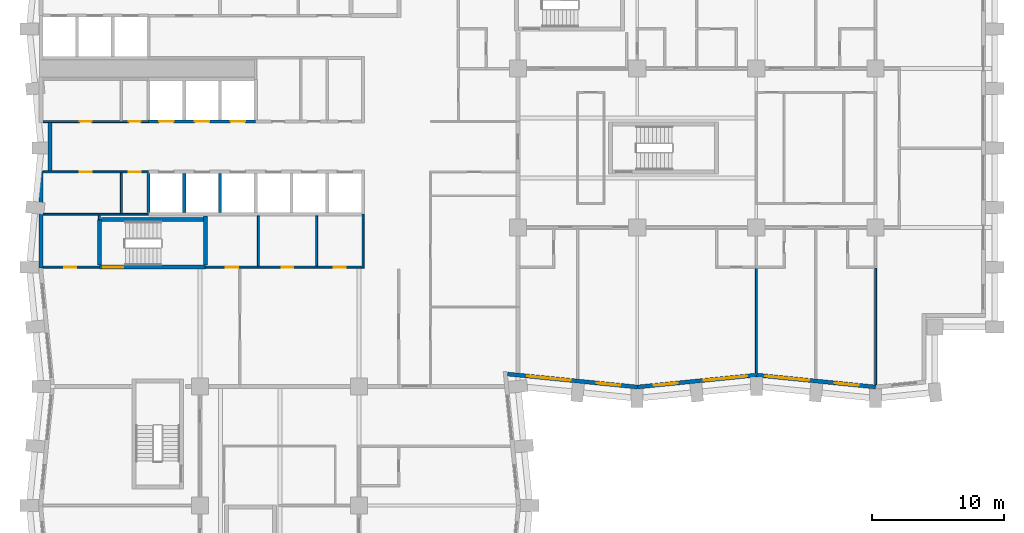
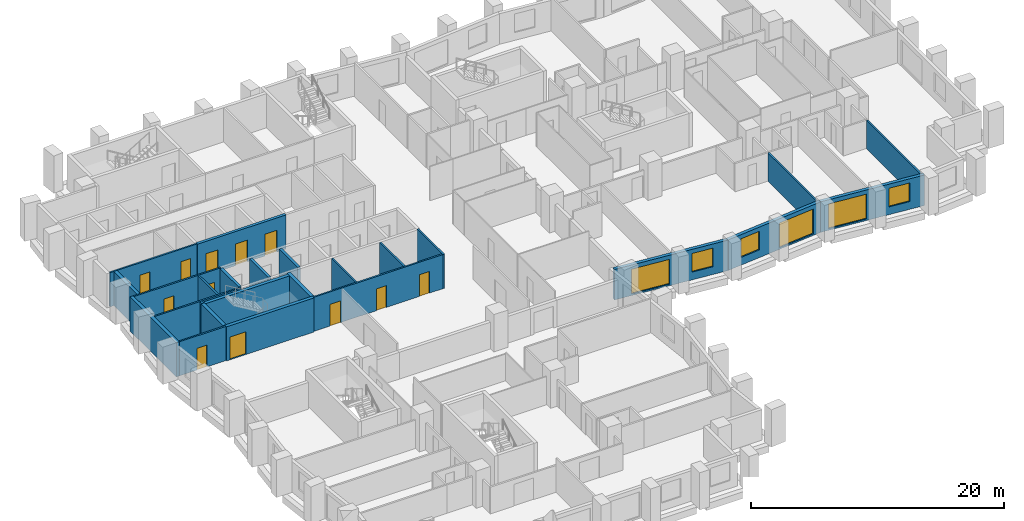
# One storey, part 5 of 12: 25 walls, 12 doors, 6 windows, 18 openings.
"""IFC4 building model written with IfcOpenShell, lengths in metres."""

from ifc_helpers import new_model, si_unit, direction, frame, frame_2d, origin, place, context, subcontext, project, spatial, rectangle, extrude, material, layer, layer_set, type_object, element, fill, save


model = new_model("IFC4")

# Units and contexts
model_context = context("Model", 3, precision=1e-05, world=origin(), true_north=direction((0.0, 1.0)))
body_context = subcontext(model_context, "Body", "Model", "MODEL_VIEW")
ifc_project = project(units=[si_unit("LENGTHUNIT", "METRE"), si_unit("AREAUNIT", "SQUARE_METRE"), si_unit("VOLUMEUNIT", "CUBIC_METRE"), si_unit("PLANEANGLEUNIT", "RADIAN"), si_unit("MASSUNIT", "GRAM", prefix="KILO")], contexts=[model_context])

# Site, building, storey
site_placement = place(None, origin())
site = spatial("IfcSite", under=ifc_project, at=site_placement, CompositionType="ELEMENT")
building_placement = place(site_placement, origin())
building = spatial("IfcBuilding", under=site, at=building_placement, Name="Brondeck Convention Tower", CompositionType="ELEMENT")
storey_placement = place(building_placement, frame((0.0, 0.0, 66.300048828125)))
storey = spatial("IfcBuildingStorey", under=building, at=storey_placement, Name="L14", CompositionType="ELEMENT", Elevation=66.300048828125)

# Wall, openings, doors
ifc_material_1 = material(Name="Concrete C80/95", Category="concrete")
ifc_layer_1 = layer(ifc_material_1, 0.14990234375)
ifc_layer_set_1 = layer_set([ifc_layer_1], Name="Core beam-seat wall 150 Concrete C80/95")
wall_type_1 = type_object("IfcWallType", Name="Core beam-seat wall 150 Concrete C80/95", PredefinedType="SHEAR", material=ifc_layer_set_1)
wall_1_placement = place(storey_placement, frame((12.39990234375, 36.0, 0.0), z_axis=(0.0, 0.0, 1.0), x_axis=(1.0, 0.0, 0.0)))
wall_1 = element("IfcWall", 1, at=wall_1_placement, inside=storey, type_object=wall_type_1, Name="L14 core wall", PredefinedType="SHEAR", context=body_context, shape_type="SweptSolid", body=[
    extrude(rectangle(XDim=11.8251953125, YDim=0.14990234375, at=frame_2d((5.91259765625, 0.0))), origin(), (0.0, 0.0, 1.0), 3.300048828125),
])
opening_1_placement = place(wall_1_placement, frame((1.52490234375, 0.0, 0.0)))
opening_1 = element("IfcOpeningElement", 2, at=opening_1_placement, cuts=wall_1, Name="Opening C10-03", PredefinedType="OPENING", context=body_context, shape_type="SweptSolid", body=[
    extrude(rectangle(XDim=0.949951171875, YDim=2.10009765625, at=frame_2d((0.47509765625, 1.050048828125))), frame((0.0, 0.0849609375, 0.0), z_axis=(0.0, -1.0, 0.0), x_axis=(1.0, 0.0, 0.0)), (0.0, 0.0, 1.0), 0.169921875),
])
opening_2_placement = place(wall_1_placement, frame((5.75, 0.0, 0.0)))
opening_2 = element("IfcOpeningElement", 3, at=opening_2_placement, cuts=wall_1, Name="Opening C10-04", PredefinedType="OPENING", context=body_context, shape_type="SweptSolid", body=[
    extrude(rectangle(XDim=0.89990234375, YDim=2.10009765625, at=frame_2d((0.449951171875, 1.050048828125))), frame((0.0, 0.0849609375, 0.0), z_axis=(0.0, -1.0, 0.0), x_axis=(1.0, 0.0, 0.0)), (0.0, 0.0, 1.0), 0.169921875),
])
opening_3_placement = place(wall_1_placement, frame((9.699951171875, 0.0, 0.0)))
opening_3 = element("IfcOpeningElement", 4, at=opening_3_placement, cuts=wall_1, Name="Opening C10-05", PredefinedType="OPENING", context=body_context, shape_type="SweptSolid", body=[
    extrude(rectangle(XDim=0.89990234375, YDim=2.10009765625, at=frame_2d((0.449951171875, 1.050048828125))), frame((0.0, 0.0849609375, 0.0), z_axis=(0.0, -1.0, 0.0), x_axis=(1.0, 0.0, 0.0)), (0.0, 0.0, 1.0), 0.169921875),
])
ifc_material_2 = material(Name="Steel fire door", Category="steel")
door_type_1 = type_object("IfcDoorType", Name="Room door 900x2100 EI 60", OperationType="NOTDEFINED", PredefinedType="DOOR", material=ifc_material_2)
door_1_placement = place(opening_2_placement, origin())
door_1 = element("IfcDoor", 5, at=door_1_placement, inside=storey, type_object=door_type_1, Name="L14 Room door FR-2", OperationType="SINGLE_SWING_LEFT", OverallHeight=2.10009765625, OverallWidth=0.89990234375, PredefinedType="DOOR", context=body_context, shape_type="SweptSolid", body=[
    extrude(rectangle(XDim=0.89990234375, YDim=2.10009765625, at=frame_2d((0.449951171875, 1.050048828125))), frame((0.0, 0.02490234375, 0.0), z_axis=(0.0, -1.0, 0.0), x_axis=(1.0, 0.0, 0.0)), (0.0, 0.0, 1.0), 0.050048828125),
])
fill(opening_2, door_1)
door_2_placement = place(opening_3_placement, origin())
door_2 = element("IfcDoor", 6, at=door_2_placement, inside=storey, type_object=door_type_1, Name="L14 Room door FR-3", OperationType="SINGLE_SWING_RIGHT", OverallHeight=2.10009765625, OverallWidth=0.89990234375, PredefinedType="DOOR", context=body_context, shape_type="SweptSolid", body=[
    extrude(rectangle(XDim=0.89990234375, YDim=2.10009765625, at=frame_2d((0.449951171875, 1.050048828125))), frame((0.0, 0.02490234375, 0.0), z_axis=(0.0, -1.0, 0.0), x_axis=(1.0, 0.0, 0.0)), (0.0, 0.0, 1.0), 0.050048828125),
])
fill(opening_3, door_2)
door_type_2 = type_object("IfcDoorType", Name="Room door 950x2100 EI 60", OperationType="NOTDEFINED", PredefinedType="DOOR", material=ifc_material_2)
door_3_placement = place(opening_1_placement, origin())
door_3 = element("IfcDoor", 7, at=door_3_placement, inside=storey, type_object=door_type_2, Name="L14 Room door FR-1", OperationType="SINGLE_SWING_RIGHT", OverallHeight=2.10009765625, OverallWidth=0.949951171875, PredefinedType="DOOR", context=body_context, shape_type="SweptSolid", body=[
    extrude(rectangle(XDim=0.949951171875, YDim=2.10009765625, at=frame_2d((0.47509765625, 1.050048828125))), frame((0.0, 0.02490234375, 0.0), z_axis=(0.0, -1.0, 0.0), x_axis=(1.0, 0.0, 0.0)), (0.0, 0.0, 1.0), 0.050048828125),
])
fill(opening_1, door_3)

# Walls
wall_2_placement = place(storey_placement, frame((24.300048828125, 35.925048828125, 0.0), z_axis=(0.0, 0.0, 1.0), x_axis=(0.0, 1.0, 0.0)))
element("IfcWall", 8, at=wall_2_placement, inside=storey, type_object=wall_type_1, Name="L14 core wall", PredefinedType="SHEAR", context=body_context, shape_type="SweptSolid", body=[
    extrude(rectangle(XDim=4.074951171875, YDim=0.14990234375, at=frame_2d((2.03759765625, 0.0))), origin(), (0.0, 0.0, 1.0), 3.300048828125),
])
ifc_layer_2 = layer(ifc_material_1, 0.300048828125)
ifc_layer_set_2 = layer_set([ifc_layer_2], Name="Core outer wall 300 Concrete C80/95")
wall_type_2 = type_object("IfcWallType", Name="Core outer wall 300 Concrete C80/95", PredefinedType="SHEAR", material=ifc_layer_set_2)
wall_3_placement = place(storey_placement, frame((0.0, 35.925048828125, 0.0), z_axis=(0.0, 0.0, 1.0), x_axis=(0.0, 1.0, 0.0)))
element("IfcWall", 9, at=wall_3_placement, inside=storey, type_object=wall_type_2, Name="L14 core wall", PredefinedType="SHEAR", context=body_context, shape_type="SweptSolid", body=[
    extrude(rectangle(XDim=7.349853515625, YDim=0.300048828125, at=frame_2d((3.6748046875, 0.0))), origin(), (0.0, 0.0, 1.0), 3.300048828125),
])
wall_4_placement = place(storey_placement, frame((0.64990234375, 43.27490234375, 0.0), z_axis=(0.0, 0.0, 1.0), x_axis=(0.0, 1.0, 0.0)))
element("IfcWall", 10, at=wall_4_placement, inside=storey, type_object=wall_type_2, Name="L14 core wall", PredefinedType="SHEAR", context=body_context, shape_type="SweptSolid", body=[
    extrude(rectangle(XDim=3.650146484375, YDim=0.300048828125, at=frame_2d((1.8251953125, 0.0))), origin(), (0.0, 0.0, 1.0), 3.300048828125),
])

# Wall, opening, door
ifc_material_3 = material(Name="Fire-rated gypsum board partition")
ifc_layer_3 = layer(ifc_material_3, 0.14990234375)
ifc_layer_set_3 = layer_set([ifc_layer_3], Name="Core partition 150 EI 60")
wall_type_3 = type_object("IfcWallType", Name="Core partition 150 EI 60", PredefinedType="PARTITIONING", material=ifc_layer_set_3)
wall_5_placement = place(storey_placement, frame((0.14990234375, 36.0, 0.0), z_axis=(0.0, 0.0, 1.0), x_axis=(1.0, 0.0, 0.0)))
wall_5 = element("IfcWall", 11, at=wall_5_placement, inside=storey, type_object=wall_type_3, Name="L14 core wall", PredefinedType="PARTITIONING", context=body_context, shape_type="SweptSolid", body=[
    extrude(rectangle(XDim=4.25, YDim=0.14990234375, at=frame_2d((2.125, 0.0))), origin(), (0.0, 0.0, 1.0), 3.300048828125),
])
opening_4_placement = place(wall_5_placement, frame((1.60009765625, 0.0, 0.0)))
opening_4 = element("IfcOpeningElement", 12, at=opening_4_placement, cuts=wall_5, Name="Opening C10-06", PredefinedType="OPENING", context=body_context, shape_type="SweptSolid", body=[
    extrude(rectangle(XDim=0.89990234375, YDim=2.10009765625, at=frame_2d((0.449951171875, 1.050048828125))), frame((0.0, 0.0849609375, 0.0), z_axis=(0.0, -1.0, 0.0), x_axis=(1.0, 0.0, 0.0)), (0.0, 0.0, 1.0), 0.169921875),
])
door_4_placement = place(opening_4_placement, origin())
door_4 = element("IfcDoor", 13, at=door_4_placement, inside=storey, type_object=door_type_1, Name="L14 Room door FRW-1", OperationType="SINGLE_SWING_LEFT", OverallHeight=2.10009765625, OverallWidth=0.89990234375, PredefinedType="DOOR", context=body_context, shape_type="SweptSolid", body=[
    extrude(rectangle(XDim=0.89990234375, YDim=2.10009765625, at=frame_2d((0.449951171875, 1.050048828125))), frame((0.0, 0.02490234375, 0.0), z_axis=(0.0, -1.0, 0.0), x_axis=(1.0, 0.0, 0.0)), (0.0, 0.0, 1.0), 0.050048828125),
])
fill(opening_4, door_4)

# Wall
wall_6_placement = place(storey_placement, frame((0.14990234375, 40.0, 0.0), z_axis=(0.0, 0.0, 1.0), x_axis=(1.0, 0.0, 0.0)))
element("IfcWall", 14, at=wall_6_placement, inside=storey, type_object=wall_type_3, Name="L14 core wall", PredefinedType="PARTITIONING", context=body_context, shape_type="SweptSolid", body=[
    extrude(rectangle(XDim=7.9501953125, YDim=0.14990234375, at=frame_2d((3.97509765625, 0.0))), origin(), (0.0, 0.0, 1.0), 3.300048828125),
])

# Wall, openings, doors
wall_7_placement = place(storey_placement, frame((0.14990234375, 43.199951171875, 0.0), z_axis=(0.0, 0.0, 1.0), x_axis=(1.0, 0.0, 0.0)))
wall_7 = element("IfcWall", 15, at=wall_7_placement, inside=storey, type_object=wall_type_3, Name="L14 core wall", PredefinedType="PARTITIONING", context=body_context, shape_type="SweptSolid", body=[
    extrude(rectangle(XDim=7.9501953125, YDim=0.14990234375, at=frame_2d((3.97509765625, 0.0))), origin(), (0.0, 0.0, 1.0), 3.300048828125),
])
opening_5_placement = place(wall_7_placement, frame((2.75, 0.0, 0.0)))
opening_5 = element("IfcOpeningElement", 16, at=opening_5_placement, cuts=wall_7, Name="Opening C10-11", PredefinedType="OPENING", context=body_context, shape_type="SweptSolid", body=[
    extrude(rectangle(XDim=0.89990234375, YDim=2.10009765625, at=frame_2d((0.449951171875, 1.050048828125))), frame((0.0, 0.0849609375, 0.0), z_axis=(0.0, -1.0, 0.0), x_axis=(1.0, 0.0, 0.0)), (0.0, 0.0, 1.0), 0.169921875),
])
opening_6_placement = place(wall_7_placement, frame((6.47509765625, 0.0, 0.0)))
opening_6 = element("IfcOpeningElement", 17, at=opening_6_placement, cuts=wall_7, Name="Opening C10-12", PredefinedType="OPENING", context=body_context, shape_type="SweptSolid", body=[
    extrude(rectangle(XDim=0.89990234375, YDim=2.10009765625, at=frame_2d((0.449951171875, 1.050048828125))), frame((0.0, 0.0849609375, 0.0), z_axis=(0.0, -1.0, 0.0), x_axis=(1.0, 0.0, 0.0)), (0.0, 0.0, 1.0), 0.169921875),
])
door_5_placement = place(opening_5_placement, origin())
door_5 = element("IfcDoor", 18, at=door_5_placement, inside=storey, type_object=door_type_1, Name="L14 Room door FZ-S-0-1", OperationType="SINGLE_SWING_LEFT", OverallHeight=2.10009765625, OverallWidth=0.89990234375, PredefinedType="DOOR", context=body_context, shape_type="SweptSolid", body=[
    extrude(rectangle(XDim=0.89990234375, YDim=2.10009765625, at=frame_2d((0.449951171875, 1.050048828125))), frame((0.0, 0.02490234375, 0.0), z_axis=(0.0, -1.0, 0.0), x_axis=(1.0, 0.0, 0.0)), (0.0, 0.0, 1.0), 0.050048828125),
])
fill(opening_5, door_5)
door_6_placement = place(opening_6_placement, origin())
door_6 = element("IfcDoor", 19, at=door_6_placement, inside=storey, type_object=door_type_1, Name="L14 Room door FZ-S-0-2", OperationType="SINGLE_SWING_RIGHT", OverallHeight=2.10009765625, OverallWidth=0.89990234375, PredefinedType="DOOR", context=body_context, shape_type="SweptSolid", body=[
    extrude(rectangle(XDim=0.89990234375, YDim=2.10009765625, at=frame_2d((0.449951171875, 1.050048828125))), frame((0.0, 0.02490234375, 0.0), z_axis=(0.0, -1.0, 0.0), x_axis=(1.0, 0.0, 0.0)), (0.0, 0.0, 1.0), 0.050048828125),
])
fill(opening_6, door_6)

wall_8_placement = place(storey_placement, frame((0.14990234375, 47.0, 0.0), z_axis=(0.0, 0.0, 1.0), x_axis=(1.0, 0.0, 0.0)))
wall_8 = element("IfcWall", 20, at=wall_8_placement, inside=storey, type_object=wall_type_3, Name="L14 core wall", PredefinedType="PARTITIONING", context=body_context, shape_type="SweptSolid", body=[
    extrude(rectangle(XDim=7.9501953125, YDim=0.14990234375, at=frame_2d((3.97509765625, 0.0))), origin(), (0.0, 0.0, 1.0), 3.300048828125),
])
opening_7_placement = place(wall_8_placement, frame((2.75, 0.0, 0.0)))
opening_7 = element("IfcOpeningElement", 21, at=opening_7_placement, cuts=wall_8, Name="Opening C10-07", PredefinedType="OPENING", context=body_context, shape_type="SweptSolid", body=[
    extrude(rectangle(XDim=0.89990234375, YDim=2.10009765625, at=frame_2d((0.449951171875, 1.050048828125))), frame((0.0, 0.0849609375, 0.0), z_axis=(0.0, -1.0, 0.0), x_axis=(1.0, 0.0, 0.0)), (0.0, 0.0, 1.0), 0.169921875),
])
opening_8_placement = place(wall_8_placement, frame((6.47509765625, 0.0, 0.0)))
opening_8 = element("IfcOpeningElement", 22, at=opening_8_placement, cuts=wall_8, Name="Opening C10-08", PredefinedType="OPENING", context=body_context, shape_type="SweptSolid", body=[
    extrude(rectangle(XDim=0.89990234375, YDim=2.10009765625, at=frame_2d((0.449951171875, 1.050048828125))), frame((0.0, 0.0849609375, 0.0), z_axis=(0.0, -1.0, 0.0), x_axis=(1.0, 0.0, 0.0)), (0.0, 0.0, 1.0), 0.169921875),
])
door_7_placement = place(opening_7_placement, origin())
door_7 = element("IfcDoor", 23, at=door_7_placement, inside=storey, type_object=door_type_1, Name="L14 Room door FZ-N-0-1", OperationType="SINGLE_SWING_RIGHT", OverallHeight=2.10009765625, OverallWidth=0.89990234375, PredefinedType="DOOR", context=body_context, shape_type="SweptSolid", body=[
    extrude(rectangle(XDim=0.89990234375, YDim=2.10009765625, at=frame_2d((0.449951171875, 1.050048828125))), frame((0.0, 0.02490234375, 0.0), z_axis=(0.0, -1.0, 0.0), x_axis=(1.0, 0.0, 0.0)), (0.0, 0.0, 1.0), 0.050048828125),
])
fill(opening_7, door_7)
door_8_placement = place(opening_8_placement, origin())
door_8 = element("IfcDoor", 24, at=door_8_placement, inside=storey, type_object=door_type_1, Name="L14 Room door FZ-N-0-2", OperationType="SINGLE_SWING_LEFT", OverallHeight=2.10009765625, OverallWidth=0.89990234375, PredefinedType="DOOR", context=body_context, shape_type="SweptSolid", body=[
    extrude(rectangle(XDim=0.89990234375, YDim=2.10009765625, at=frame_2d((0.449951171875, 1.050048828125))), frame((0.0, 0.02490234375, 0.0), z_axis=(0.0, -1.0, 0.0), x_axis=(1.0, 0.0, 0.0)), (0.0, 0.0, 1.0), 0.050048828125),
])
fill(opening_8, door_8)

# Walls
wall_9_placement = place(storey_placement, frame((4.39990234375, 39.60009765625, 0.0), z_axis=(0.0, 0.0, 1.0), x_axis=(0.0, 1.0, 0.0)))
element("IfcWall", 25, at=wall_9_placement, inside=storey, type_object=wall_type_3, Name="L14 core wall", PredefinedType="PARTITIONING", context=body_context, shape_type="SweptSolid", body=[
    extrude(rectangle(XDim=0.324951171875, YDim=0.14990234375, at=frame_2d((0.16259765625, 0.0))), origin(), (0.0, 0.0, 1.0), 3.300048828125),
])
wall_10_placement = place(storey_placement, frame((6.050048828125, 40.074951171875, 0.0), z_axis=(0.0, 0.0, 1.0), x_axis=(0.0, 1.0, 0.0)))
element("IfcWall", 26, at=wall_10_placement, inside=storey, type_object=wall_type_3, Name="L14 core wall", PredefinedType="PARTITIONING", context=body_context, shape_type="SweptSolid", body=[
    extrude(rectangle(XDim=3.050048828125, YDim=0.14990234375, at=frame_2d((1.52490234375, 0.0))), origin(), (0.0, 0.0, 1.0), 3.300048828125),
])
for number, where, z_axis, x_axis, name in (
    (27, (16.39990234375, 36.074951171875, 0.0), (0.0, 0.0, 1.0), (0.0, 1.0, 0.0), "L14 core wall"),
    (28, (20.800048828125, 36.074951171875, 0.0), (0.0, 0.0, 1.0), (0.0, 1.0, 0.0), "L14 core wall"),
):
    element("IfcWall", number, at=place(storey_placement, frame(where, z_axis=z_axis, x_axis=x_axis)), inside=storey, type_object=wall_type_3, Name=name, PredefinedType="PARTITIONING", context=body_context, shape_type="SweptSolid", body=[
        extrude(rectangle(XDim=3.800048828125, YDim=0.14990234375, at=frame_2d((1.89990234375, 0.0))), origin(), (0.0, 0.0, 1.0), 3.300048828125),
    ])

# Wall, openings, windows
ifc_material_4 = material(Name="Precast concrete C50/60 bronze finish", Category="concrete")
ifc_layer_4 = layer(ifc_material_4, 0.070068359375, Name="Bronze precast facing")
ifc_material_5 = material(Name="Mineral wool")
ifc_layer_5 = layer(ifc_material_5, 0.159912109375, Name="Insulation")
ifc_material_6 = material(Name="Concrete C35/45", Category="concrete")
ifc_layer_6 = layer(ifc_material_6, 0.070068359375, Name="Backing")
ifc_layer_set_4 = layer_set([ifc_layer_4, ifc_layer_5, ifc_layer_6], Name="External infill wall, precast concrete C50/60 bronze facing")
wall_type_4 = type_object("IfcWallType", Name="External infill wall, precast concrete C50/60 bronze facing", PredefinedType="SOLIDWALL", material=ifc_layer_set_4)
wall_11_placement = place(storey_placement, frame((45.014892578125, 26.95263671875, 0.0), z_axis=(0.0, 0.0, 1.0), x_axis=(-0.995036699177, 0.099508629231, 0.0)))
wall_11 = element("IfcWall", 29, at=wall_11_placement, inside=storey, type_object=wall_type_4, Name="ENV-EW-L14-P0-A-S-00", PredefinedType="SOLIDWALL", context=body_context, shape_type="SweptSolid", body=[
    extrude(rectangle(XDim=9.845703125, YDim=0.300048828125, at=frame_2d((4.9228515625, 0.0))), origin(), (0.0, 0.0, 1.0), 2.949951171875),
])
opening_9_placement = place(wall_11_placement, frame((1.291259765625, 0.0, 0.75)))
opening_9 = element("IfcOpeningElement", 30, at=opening_9_placement, cuts=wall_11, Name="Opening W10", PredefinedType="OPENING", context=body_context, shape_type="SweptSolid", body=[
    extrude(rectangle(XDim=1.800048828125, YDim=1.800048828125, at=frame_2d((0.89990234375, 0.89990234375))), frame((0.0, 0.159912109375, 0.0), z_axis=(0.0, -1.0, 0.0), x_axis=(1.0, 0.0, 0.0)), (0.0, 0.0, 1.0), 0.320068359375),
])
opening_10_placement = place(wall_11_placement, frame((5.063720703125, 0.0, 0.14990234375)))
opening_10 = element("IfcOpeningElement", 31, at=opening_10_placement, cuts=wall_11, Name="Opening W9", PredefinedType="OPENING", context=body_context, shape_type="SweptSolid", body=[
    extrude(rectangle(XDim=3.300048828125, YDim=2.39990234375, at=frame_2d((1.64990234375, 1.199951171875))), frame((0.0, 0.159912109375, 0.0), z_axis=(0.0, -1.0, 0.0), x_axis=(1.0, 0.0, 0.0)), (0.0, 0.0, 1.0), 0.320068359375),
])
ifc_material_7 = material(Name="Bronze tinted double glazing", Category="glass")
window_type_1 = type_object("IfcWindowType", Name="Glazed flute window, bronze tinted", PartitioningType="SINGLE_PANEL", PredefinedType="WINDOW", material=ifc_material_7)
window_1_placement = place(opening_10_placement, origin())
window_1 = element("IfcWindow", 32, at=window_1_placement, inside=storey, type_object=window_type_1, Name="ENV-WN-L14-P0-A-S-00", OverallHeight=2.39990234375, OverallWidth=3.300048828125, PartitioningType="SINGLE_PANEL", PredefinedType="WINDOW", context=body_context, shape_type="SweptSolid", body=[
    extrude(rectangle(XDim=3.300048828125, YDim=2.39990234375, at=frame_2d((1.64990234375, 1.199951171875))), frame((0.0, 0.030029296875, 0.0), z_axis=(0.0, -1.0, 0.0), x_axis=(1.0, 0.0, 0.0)), (0.0, 0.0, 1.0), 0.06005859375),
])
fill(opening_10, window_1)
window_type_2 = type_object("IfcWindowType", Name="Punched window, bronze tinted", PartitioningType="SINGLE_PANEL", PredefinedType="WINDOW", material=ifc_material_7)
window_2_placement = place(opening_9_placement, origin())
window_2 = element("IfcWindow", 33, at=window_2_placement, inside=storey, type_object=window_type_2, Name="ENV-WN-L14-P0-A-S-01", OverallHeight=1.800048828125, OverallWidth=1.800048828125, PartitioningType="SINGLE_PANEL", PredefinedType="WINDOW", context=body_context, shape_type="SweptSolid", body=[
    extrude(rectangle(XDim=1.800048828125, YDim=1.800048828125, at=frame_2d((0.89990234375, 0.89990234375))), frame((0.0, 0.030029296875, 0.0), z_axis=(0.0, -1.0, 0.0), x_axis=(1.0, 0.0, 0.0)), (0.0, 0.0, 1.0), 0.06005859375),
])
fill(opening_9, window_2)

wall_12_placement = place(storey_placement, frame((54.014892578125, 27.855712890625, 0.0), z_axis=(0.0, 0.0, 1.0), x_axis=(-0.995037993253, -0.099495688264, 0.0)))
wall_12 = element("IfcWall", 34, at=wall_12_placement, inside=storey, type_object=wall_type_4, Name="ENV-EW-L14-P0-A-S-02", PredefinedType="SOLIDWALL", context=body_context, shape_type="SweptSolid", body=[
    extrude(rectangle(XDim=9.030029296875, YDim=0.300048828125, at=frame_2d((4.51513671875, 0.0))), origin(), (0.0, 0.0, 1.0), 2.949951171875),
])
opening_11_placement = place(wall_12_placement, frame((0.711181640625, 0.0, 0.14990234375)))
opening_11 = element("IfcOpeningElement", 35, at=opening_11_placement, cuts=wall_12, Name="Opening W9", PredefinedType="OPENING", context=body_context, shape_type="SweptSolid", body=[
    extrude(rectangle(XDim=3.300048828125, YDim=2.39990234375, at=frame_2d((1.64990234375, 1.199951171875))), frame((0.0, 0.159912109375, 0.0), z_axis=(0.0, -1.0, 0.0), x_axis=(1.0, 0.0, 0.0)), (0.0, 0.0, 1.0), 0.320068359375),
])
opening_12_placement = place(wall_12_placement, frame((5.983642578125, 0.0, 0.75)))
opening_12 = element("IfcOpeningElement", 36, at=opening_12_placement, cuts=wall_12, Name="Opening W10", PredefinedType="OPENING", context=body_context, shape_type="SweptSolid", body=[
    extrude(rectangle(XDim=1.800048828125, YDim=1.800048828125, at=frame_2d((0.89990234375, 0.89990234375))), frame((0.0, 0.159912109375, 0.0), z_axis=(0.0, -1.0, 0.0), x_axis=(1.0, 0.0, 0.0)), (0.0, 0.0, 1.0), 0.320068359375),
])
window_3_placement = place(opening_11_placement, origin())
window_3 = element("IfcWindow", 37, at=window_3_placement, inside=storey, type_object=window_type_1, Name="ENV-WN-L14-P0-A-S-03", OverallHeight=2.39990234375, OverallWidth=3.300048828125, PartitioningType="SINGLE_PANEL", PredefinedType="WINDOW", context=body_context, shape_type="SweptSolid", body=[
    extrude(rectangle(XDim=3.300048828125, YDim=2.39990234375, at=frame_2d((1.64990234375, 1.199951171875))), frame((0.0, 0.030029296875, 0.0), z_axis=(0.0, -1.0, 0.0), x_axis=(1.0, 0.0, 0.0)), (0.0, 0.0, 1.0), 0.06005859375),
])
fill(opening_11, window_3)
window_4_placement = place(opening_12_placement, origin())
window_4 = element("IfcWindow", 38, at=window_4_placement, inside=storey, type_object=window_type_2, Name="ENV-WN-L14-P0-A-S-02", OverallHeight=1.800048828125, OverallWidth=1.800048828125, PartitioningType="SINGLE_PANEL", PredefinedType="WINDOW", context=body_context, shape_type="SweptSolid", body=[
    extrude(rectangle(XDim=1.800048828125, YDim=1.800048828125, at=frame_2d((0.89990234375, 0.89990234375))), frame((0.0, 0.030029296875, 0.0), z_axis=(0.0, -1.0, 0.0), x_axis=(1.0, 0.0, 0.0)), (0.0, 0.0, 1.0), 0.06005859375),
])
fill(opening_12, window_4)

wall_13_placement = place(storey_placement, frame((63.014892578125, 26.95263671875, 0.0), z_axis=(0.0, 0.0, 1.0), x_axis=(-0.995035316196, 0.099522457379, 0.0)))
wall_13 = element("IfcWall", 39, at=wall_13_placement, inside=storey, type_object=wall_type_4, Name="ENV-EW-L14-P0-A-S-04", PredefinedType="SOLIDWALL", context=body_context, shape_type="SweptSolid", body=[
    extrude(rectangle(XDim=9.030029296875, YDim=0.300048828125, at=frame_2d((4.51513671875, 0.0))), origin(), (0.0, 0.0, 1.0), 2.949951171875),
])
opening_13_placement = place(wall_13_placement, frame((1.291259765625, 0.0, 0.75)))
opening_13 = element("IfcOpeningElement", 40, at=opening_13_placement, cuts=wall_13, Name="Opening W10", PredefinedType="OPENING", context=body_context, shape_type="SweptSolid", body=[
    extrude(rectangle(XDim=1.800048828125, YDim=1.800048828125, at=frame_2d((0.89990234375, 0.89990234375))), frame((0.0, 0.159912109375, 0.0), z_axis=(0.0, -1.0, 0.0), x_axis=(1.0, 0.0, 0.0)), (0.0, 0.0, 1.0), 0.320068359375),
])
opening_14_placement = place(wall_13_placement, frame((5.063720703125, 0.0, 0.14990234375)))
opening_14 = element("IfcOpeningElement", 41, at=opening_14_placement, cuts=wall_13, Name="Opening W9", PredefinedType="OPENING", context=body_context, shape_type="SweptSolid", body=[
    extrude(rectangle(XDim=3.300048828125, YDim=2.39990234375, at=frame_2d((1.64990234375, 1.199951171875))), frame((0.0, 0.159912109375, 0.0), z_axis=(0.0, -1.0, 0.0), x_axis=(1.0, 0.0, 0.0)), (0.0, 0.0, 1.0), 0.320068359375),
])
window_5_placement = place(opening_14_placement, origin())
window_5 = element("IfcWindow", 42, at=window_5_placement, inside=storey, type_object=window_type_1, Name="ENV-WN-L14-P0-A-S-04", OverallHeight=2.39990234375, OverallWidth=3.300048828125, PartitioningType="SINGLE_PANEL", PredefinedType="WINDOW", context=body_context, shape_type="SweptSolid", body=[
    extrude(rectangle(XDim=3.300048828125, YDim=2.39990234375, at=frame_2d((1.64990234375, 1.199951171875))), frame((0.0, 0.030029296875, 0.0), z_axis=(0.0, -1.0, 0.0), x_axis=(1.0, 0.0, 0.0)), (0.0, 0.0, 1.0), 0.06005859375),
])
fill(opening_14, window_5)
window_6_placement = place(opening_13_placement, origin())
window_6 = element("IfcWindow", 43, at=window_6_placement, inside=storey, type_object=window_type_2, Name="ENV-WN-L14-P0-A-S-05", OverallHeight=1.800048828125, OverallWidth=1.800048828125, PartitioningType="SINGLE_PANEL", PredefinedType="WINDOW", context=body_context, shape_type="SweptSolid", body=[
    extrude(rectangle(XDim=1.800048828125, YDim=1.800048828125, at=frame_2d((0.89990234375, 0.89990234375))), frame((0.0, 0.030029296875, 0.0), z_axis=(0.0, -1.0, 0.0), x_axis=(1.0, 0.0, 0.0)), (0.0, 0.0, 1.0), 0.06005859375),
])
fill(opening_13, window_6)

# Walls
ifc_material_8 = material(Name="Double gypsum board acoustic wall")
ifc_layer_7 = layer(ifc_material_8, 0.14990234375)
ifc_layer_set_5 = layer_set([ifc_layer_7], Name="Guest room party wall 150")
wall_type_5 = type_object("IfcWallType", Name="Guest room party wall 150", PredefinedType="PARTITIONING", material=ifc_layer_set_5)
wall_14_placement = place(storey_placement, frame((54.0, 35.925048828125, 0.0), z_axis=(0.0, 0.0, 1.0), x_axis=(0.0, -1.0, 0.0)))
element("IfcWall", 44, at=wall_14_placement, inside=storey, type_object=wall_type_5, Name="FLR-L14-W048", PredefinedType="PARTITIONING", context=body_context, shape_type="SweptSolid", body=[
    extrude(rectangle(XDim=7.900146484375, YDim=0.14990234375, at=frame_2d((3.9501953125, 0.0))), origin(), (0.0, 0.0, 1.0), 2.72998046875),
])
wall_15_placement = place(storey_placement, frame((63.0, 35.925048828125, 0.0), z_axis=(0.0, 0.0, 1.0), x_axis=(0.0, -1.0, 0.0)))
element("IfcWall", 45, at=wall_15_placement, inside=storey, type_object=wall_type_5, Name="FLR-L14-W049", PredefinedType="PARTITIONING", context=body_context, shape_type="SweptSolid", body=[
    extrude(rectangle(XDim=8.800048828125, YDim=0.14990234375, at=frame_2d((4.39990234375, 0.0))), origin(), (0.0, 0.0, 1.0), 2.72998046875),
])

# Wall, openings, doors
ifc_layer_8 = layer(ifc_material_1, 0.25)
ifc_layer_set_6 = layer_set([ifc_layer_8], Name="Lift shaft wall 250 Concrete C80/95")
wall_type_6 = type_object("IfcWallType", Name="Lift shaft wall 250 Concrete C80/95", PredefinedType="SHEAR", material=ifc_layer_set_6)
wall_16_placement = place(storey_placement, frame((8.10009765625, 47.0, 0.0), z_axis=(0.0, 0.0, 1.0), x_axis=(1.0, 0.0, 0.0)))
wall_16 = element("IfcWall", 46, at=wall_16_placement, inside=storey, type_object=wall_type_6, Name="L14 core wall", PredefinedType="SHEAR", context=body_context, shape_type="SweptSolid", body=[
    extrude(rectangle(XDim=8.099853515625, YDim=0.25, at=frame_2d((4.0498046875, 0.0))), origin(), (0.0, 0.0, 1.0), 3.300048828125),
])
opening_15_placement = place(wall_16_placement, frame((0.800048828125, 0.0, 0.0)))
opening_15 = element("IfcOpeningElement", 47, at=opening_15_placement, cuts=wall_16, Name="Opening C10-29", PredefinedType="OPENING", context=body_context, shape_type="SweptSolid", body=[
    extrude(rectangle(XDim=1.10009765625, YDim=2.10009765625, at=frame_2d((0.550048828125, 1.050048828125))), frame((0.0, 0.135009765625, 0.0), z_axis=(0.0, -1.0, 0.0), x_axis=(1.0, 0.0, 0.0)), (0.0, 0.0, 1.0), 0.27001953125),
])
opening_16_placement = place(wall_16_placement, frame((3.5, 0.0, 0.0)))
opening_16 = element("IfcOpeningElement", 48, at=opening_16_placement, cuts=wall_16, Name="Opening C10-30", PredefinedType="OPENING", context=body_context, shape_type="SweptSolid", body=[
    extrude(rectangle(XDim=1.10009765625, YDim=2.10009765625, at=frame_2d((0.550048828125, 1.050048828125))), frame((0.0, 0.135009765625, 0.0), z_axis=(0.0, -1.0, 0.0), x_axis=(1.0, 0.0, 0.0)), (0.0, 0.0, 1.0), 0.27001953125),
])
opening_17_placement = place(wall_16_placement, frame((6.199951171875, 0.0, 0.0)))
opening_17 = element("IfcOpeningElement", 49, at=opening_17_placement, cuts=wall_16, Name="Opening C10-31", PredefinedType="OPENING", context=body_context, shape_type="SweptSolid", body=[
    extrude(rectangle(XDim=1.10009765625, YDim=2.10009765625, at=frame_2d((0.550048828125, 1.050048828125))), frame((0.0, 0.135009765625, 0.0), z_axis=(0.0, -1.0, 0.0), x_axis=(1.0, 0.0, 0.0)), (0.0, 0.0, 1.0), 0.27001953125),
])
ifc_material_9 = material(Name="Stainless steel lift door", Category="steel")
door_type_3 = type_object("IfcDoorType", Name="Lift landing door 1100x2100 EI 180", OperationType="DOUBLE_DOOR_SLIDING", PredefinedType="DOOR", material=ifc_material_9)
door_9_placement = place(opening_15_placement, origin())
door_9 = element("IfcDoor", 50, at=door_9_placement, inside=storey, type_object=door_type_3, Name="L14 Lift landing door LR4", OperationType="DOUBLE_DOOR_SLIDING", OverallHeight=2.10009765625, OverallWidth=1.10009765625, PredefinedType="DOOR", context=body_context, shape_type="SweptSolid", body=[
    extrude(rectangle(XDim=1.10009765625, YDim=2.10009765625, at=frame_2d((0.550048828125, 1.050048828125))), frame((0.0, 0.02490234375, 0.0), z_axis=(0.0, -1.0, 0.0), x_axis=(1.0, 0.0, 0.0)), (0.0, 0.0, 1.0), 0.050048828125),
])
fill(opening_15, door_9)
door_10_placement = place(opening_16_placement, origin())
door_10 = element("IfcDoor", 51, at=door_10_placement, inside=storey, type_object=door_type_3, Name="L14 Lift landing door LR5", OperationType="DOUBLE_DOOR_SLIDING", OverallHeight=2.10009765625, OverallWidth=1.10009765625, PredefinedType="DOOR", context=body_context, shape_type="SweptSolid", body=[
    extrude(rectangle(XDim=1.10009765625, YDim=2.10009765625, at=frame_2d((0.550048828125, 1.050048828125))), frame((0.0, 0.02490234375, 0.0), z_axis=(0.0, -1.0, 0.0), x_axis=(1.0, 0.0, 0.0)), (0.0, 0.0, 1.0), 0.050048828125),
])
fill(opening_16, door_10)
door_11_placement = place(opening_17_placement, origin())
door_11 = element("IfcDoor", 52, at=door_11_placement, inside=storey, type_object=door_type_3, Name="L14 Lift landing door LR6", OperationType="DOUBLE_DOOR_SLIDING", OverallHeight=2.10009765625, OverallWidth=1.10009765625, PredefinedType="DOOR", context=body_context, shape_type="SweptSolid", body=[
    extrude(rectangle(XDim=1.10009765625, YDim=2.10009765625, at=frame_2d((0.550048828125, 1.050048828125))), frame((0.0, 0.02490234375, 0.0), z_axis=(0.0, -1.0, 0.0), x_axis=(1.0, 0.0, 0.0)), (0.0, 0.0, 1.0), 0.050048828125),
])
fill(opening_17, door_11)

# Walls
for number, where, z_axis, x_axis, name in (
    (53, (8.10009765625, 40.125, 0.0), (0.0, 0.0, 1.0), (0.0, 1.0, 0.0), "L14 core wall"),
    (54, (10.800048828125, 40.125, 0.0), (0.0, 0.0, 1.0), (0.0, 1.0, 0.0), "L14 core wall"),
    (55, (13.5, 40.125, 0.0), (0.0, 0.0, 1.0), (0.0, 1.0, 0.0), "L14 core wall"),
):
    element("IfcWall", number, at=place(storey_placement, frame(where, z_axis=z_axis, x_axis=x_axis)), inside=storey, type_object=wall_type_6, Name=name, PredefinedType="SHEAR", context=body_context, shape_type="SweptSolid", body=[
        extrude(rectangle(XDim=2.949951171875, YDim=0.25, at=frame_2d((1.47509765625, 0.0))), origin(), (0.0, 0.0, 1.0), 3.300048828125),
    ])

# Wall, opening, door
ifc_layer_9 = layer(ifc_material_1, 0.300048828125)
ifc_layer_set_7 = layer_set([ifc_layer_9], Name="Stair enclosure wall 300 Concrete C80/95")
wall_type_7 = type_object("IfcWallType", Name="Stair enclosure wall 300 Concrete C80/95", PredefinedType="SHEAR", material=ifc_layer_set_7)
wall_17_placement = place(storey_placement, frame((4.39990234375, 36.0, 0.0), z_axis=(0.0, 0.0, 1.0), x_axis=(1.0, 0.0, 0.0)))
wall_17 = element("IfcWall", 56, at=wall_17_placement, inside=storey, type_object=wall_type_7, Name="L14 core wall", PredefinedType="SHEAR", context=body_context, shape_type="SweptSolid", body=[
    extrude(rectangle(XDim=8.0, YDim=0.300048828125, at=frame_2d((4.0, 0.0))), origin(), (0.0, 0.0, 1.0), 3.300048828125),
])
opening_18_placement = place(wall_17_placement, frame((0.300048828125, 0.0, 0.0)))
opening_18 = element("IfcOpeningElement", 57, at=opening_18_placement, cuts=wall_17, Name="Opening C10-15", PredefinedType="OPENING", context=body_context, shape_type="SweptSolid", body=[
    extrude(rectangle(XDim=1.5, YDim=2.199951171875, at=frame_2d((0.75, 1.10009765625))), frame((0.0, 0.159912109375, 0.0), z_axis=(0.0, -1.0, 0.0), x_axis=(1.0, 0.0, 0.0)), (0.0, 0.0, 1.0), 0.320068359375),
])
door_type_4 = type_object("IfcDoorType", Name="Stair door 1500x2200 EI 90", OperationType="NOTDEFINED", PredefinedType="DOOR", material=ifc_material_2)
door_12_placement = place(opening_18_placement, origin())
door_12 = element("IfcDoor", 58, at=door_12_placement, inside=storey, type_object=door_type_4, Name="L14 Stair door ST-1", OperationType="SINGLE_SWING_RIGHT", OverallHeight=2.199951171875, OverallWidth=1.5, PredefinedType="DOOR", context=body_context, shape_type="SweptSolid", body=[
    extrude(rectangle(XDim=1.5, YDim=2.199951171875, at=frame_2d((0.75, 1.10009765625))), frame((0.0, 0.02490234375, 0.0), z_axis=(0.0, -1.0, 0.0), x_axis=(1.0, 0.0, 0.0)), (0.0, 0.0, 1.0), 0.050048828125),
])
fill(opening_18, door_12)

# Walls
wall_18_placement = place(storey_placement, frame((4.550048828125, 39.60009765625, 0.0), z_axis=(0.0, 0.0, 1.0), x_axis=(1.0, 0.0, 0.0)))
element("IfcWall", 59, at=wall_18_placement, inside=storey, type_object=wall_type_7, Name="L14 core wall", PredefinedType="SHEAR", context=body_context, shape_type="SweptSolid", body=[
    extrude(rectangle(XDim=7.699951171875, YDim=0.300048828125, at=frame_2d((3.85009765625, 0.0))), origin(), (0.0, 0.0, 1.0), 3.300048828125),
])
wall_19_placement = place(storey_placement, frame((4.39990234375, 36.14990234375, 0.0), z_axis=(0.0, 0.0, 1.0), x_axis=(0.0, 1.0, 0.0)))
element("IfcWall", 60, at=wall_19_placement, inside=storey, type_object=wall_type_7, Name="L14 core wall", PredefinedType="SHEAR", context=body_context, shape_type="SweptSolid", body=[
    extrude(rectangle(XDim=3.4501953125, YDim=0.300048828125, at=frame_2d((1.72509765625, 0.0))), origin(), (0.0, 0.0, 1.0), 3.300048828125),
])
wall_20_placement = place(storey_placement, frame((12.39990234375, 36.14990234375, 0.0), z_axis=(0.0, 0.0, 1.0), x_axis=(0.0, 1.0, 0.0)))
element("IfcWall", 61, at=wall_20_placement, inside=storey, type_object=wall_type_7, Name="L14 core wall", PredefinedType="SHEAR", context=body_context, shape_type="SweptSolid", body=[
    extrude(rectangle(XDim=3.72509765625, YDim=0.300048828125, at=frame_2d((1.862548828125, 0.0))), origin(), (0.0, 0.0, 1.0), 3.300048828125),
])

save(model, "model.ifc")
